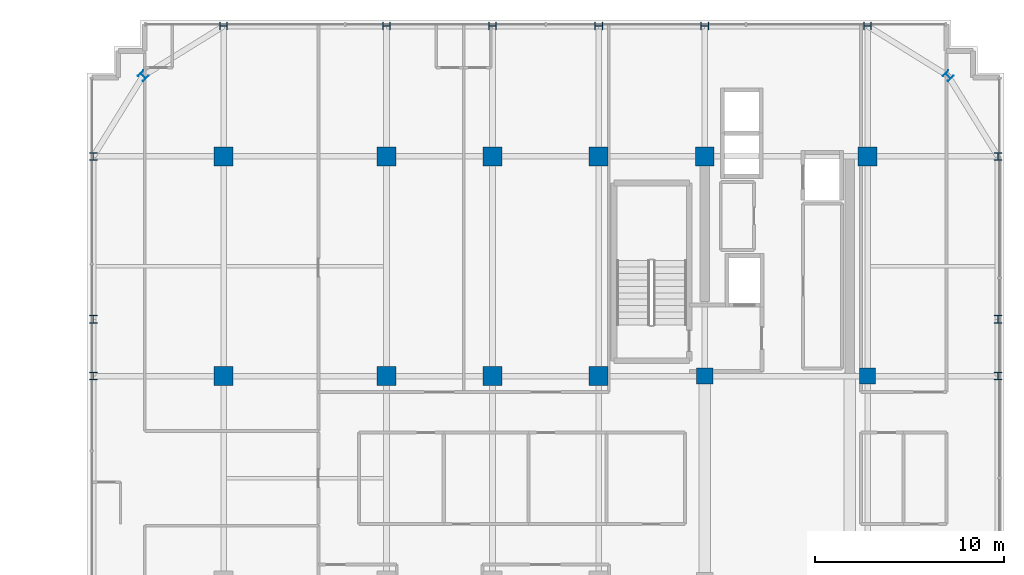
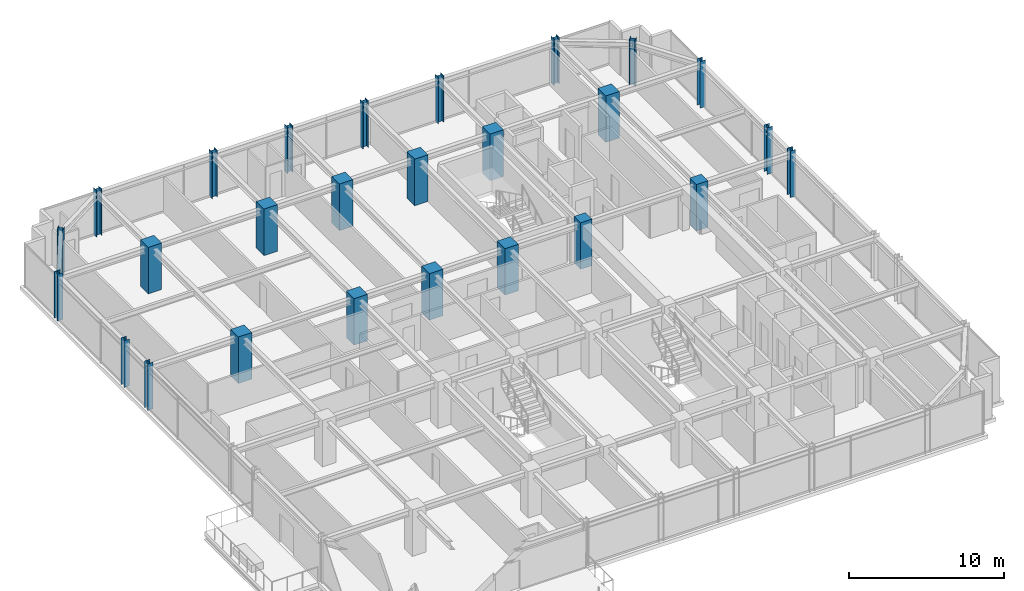
# One storey, part 2 of 35: 26 columns.
"""IFC4 building model written with IfcOpenShell, lengths in metres."""

from ifc_helpers import new_model, si_unit, direction, frame, origin, origin_2d, place, context, subcontext, project, spatial, rectangle, i_section, extrude, source, transform, mapped, material, material_profile, profile_set, type_object, element, save


model = new_model("IFC4")

# Units and contexts
model_context = context("Model", 3, precision=1e-05, world=origin(), true_north=direction((0.0, 1.0)))
body_context = subcontext(model_context, "Body", "Model", "MODEL_VIEW")
ifc_project = project(units=[si_unit("LENGTHUNIT", "METRE"), si_unit("AREAUNIT", "SQUARE_METRE"), si_unit("VOLUMEUNIT", "CUBIC_METRE"), si_unit("PLANEANGLEUNIT", "RADIAN"), si_unit("MASSUNIT", "GRAM", prefix="KILO")], contexts=[model_context])

# Site, building, storey
site_placement = place(None, origin())
site = spatial("IfcSite", under=ifc_project, at=site_placement, CompositionType="ELEMENT")
building_placement = place(site_placement, origin())
building = spatial("IfcBuilding", under=site, at=building_placement, Name="Nahalor Promenade Grand Hotel", CompositionType="ELEMENT")
storey_placement = place(building_placement, frame((0.0, 0.0, 216.0)))
storey = spatial("IfcBuildingStorey", under=building, at=storey_placement, Name="L55", CompositionType="ELEMENT", Elevation=216.0)

# Columns
ifc_material_1 = material(Name="Concrete B-60 (C50/60)", Category="concrete")
ifc_material_profile_1 = material_profile(ifc_material_1, rectangle(XDim=1.0, YDim=1.0, at=origin_2d()), Name="RC 1000x1000")
ifc_profile_set_1 = profile_set([ifc_material_profile_1], Name="Concrete B-60 (C50/60)")
column_type_1 = type_object("IfcColumnType", Name="Col-RC-1000", PredefinedType="COLUMN", material=ifc_profile_set_1)
shared_shape_1 = source(origin(), body_context, "Body", "SweptSolid", [
    extrude(rectangle(XDim=1.0, YDim=1.0, at=origin_2d()), origin(), (0.0, 0.0, 1.0), 3.655029296875),
])
for number, where, z_axis, x_axis, name in (
    (1, (-17.0, 5.39990234375, 0.0), (0.0, 0.0, 1.0), (1.0, 0.0, 0.0), "COL-L55-I02"),
    (2, (-17.0, 17.0, 0.0), (0.0, 0.0, 1.0), (1.0, 0.0, 0.0), "COL-L55-I03"),
    (3, (-8.39990234375, 5.39990234375, 0.0), (0.0, 0.0, 1.0), (1.0, 0.0, 0.0), "COL-L55-I12"),
    (4, (-8.39990234375, 17.0, 0.0), (0.0, 0.0, 1.0), (1.0, 0.0, 0.0), "COL-L55-I13"),
    (5, (-2.800048828125, 5.39990234375, 0.0), (0.0, 0.0, 1.0), (1.0, 0.0, 0.0), "COL-L55-I22"),
    (6, (-2.800048828125, 17.0, 0.0), (0.0, 0.0, 1.0), (1.0, 0.0, 0.0), "COL-L55-I23"),
    (7, (2.800048828125, 5.39990234375, 0.0), (0.0, 0.0, 1.0), (1.0, 0.0, 0.0), "COL-L55-I32"),
    (8, (2.800048828125, 17.0, 0.0), (0.0, 0.0, 1.0), (1.0, 0.0, 0.0), "COL-L55-I33"),
    (9, (8.39990234375, 17.0, 0.0), (0.0, 0.0, 1.0), (1.0, 0.0, 0.0), "COL-L55-I43"),
    (10, (17.0, 17.0, 0.0), (0.0, 0.0, 1.0), (1.0, 0.0, 0.0), "COL-L55-I53"),
):
    element("IfcColumn", number, at=place(storey_placement, frame(where, z_axis=z_axis, x_axis=x_axis)), inside=storey, type_object=column_type_1, Name=name, PredefinedType="COLUMN", context=body_context, shape_type="MappedRepresentation", body=[
        mapped(shared_shape_1, transform((0.0, 0.0, 0.0), scale=1.0)),
    ])
ifc_material_2 = material(Name="Concrete B-70 (C60/75)", Category="concrete")
ifc_material_profile_2 = material_profile(ifc_material_2, rectangle(XDim=0.85, YDim=0.85, at=origin_2d()), Name="RC 850x850")
ifc_profile_set_2 = profile_set([ifc_material_profile_2], Name="Concrete B-70 (C60/75)")
column_type_2 = type_object("IfcColumnType", Name="Col-Pilaster-850", PredefinedType="PILASTER", material=ifc_profile_set_2)
shared_shape_2 = source(origin(), body_context, "Body", "SweptSolid", [
    extrude(rectangle(XDim=0.85, YDim=0.85, at=origin_2d()), origin(), (0.0, 0.0, 1.0), 3.655029296875),
])
for number, where, z_axis, x_axis, name in (
    (11, (8.39990234375, 5.39990234375, 0.0), (0.0, 0.0, 1.0), (1.0, 0.0, 0.0), "COL-L55-I42"),
    (12, (17.0, 5.39990234375, 0.0), (0.0, 0.0, 1.0), (1.0, 0.0, 0.0), "COL-L55-I52"),
):
    element("IfcColumn", number, at=place(storey_placement, frame(where, z_axis=z_axis, x_axis=x_axis)), inside=storey, type_object=column_type_2, Name=name, PredefinedType="PILASTER", context=body_context, shape_type="MappedRepresentation", body=[
        mapped(shared_shape_2, transform((0.0, 0.0, 0.0), scale=1.0)),
    ])
ifc_material_3 = material(Name="Steel S355JR", Category="steel")
ifc_material_profile_3 = material_profile(ifc_material_3, i_section(OverallWidth=0.401, OverallDepth=0.406, WebThickness=0.0161, FlangeThickness=0.025, at=origin_2d()), Name="HD 400x314")
ifc_profile_set_3 = profile_set([ifc_material_profile_3], Name="Steel S355JR")
column_type_3 = type_object("IfcColumnType", Name="Col-Steel-HD314", PredefinedType="COLUMN", material=ifc_profile_set_3)
shared_shape_3 = source(origin(), body_context, "Body", "SweptSolid", [
    extrude(i_section(OverallWidth=0.401, OverallDepth=0.406, WebThickness=0.0161, FlangeThickness=0.025, at=origin_2d()), origin(), (0.0, 0.0, 1.0), 3.655029296875),
])
for number, where, z_axis, x_axis, name in (
    (13, (-23.8798828125, 5.39990234375, 0.0), (0.0, 0.0, 1.0), (1.0, 0.0, 0.0), "COL-L55-PW-W3"),
    (14, (23.8798828125, 5.39990234375, 0.0), (0.0, 0.0, 1.0), (1.0, 0.0, 0.0), "COL-L55-PW-E3"),
    (15, (-23.8798828125, 8.39990234375, 0.0), (0.0, 0.0, 1.0), (1.0, 0.0, 0.0), "COL-L55-PW-W4"),
    (16, (23.8798828125, 8.39990234375, 0.0), (0.0, 0.0, 1.0), (1.0, 0.0, 0.0), "COL-L55-PW-E4"),
    (17, (-23.8798828125, 17.0, 0.0), (0.0, 0.0, 1.0), (1.0, 0.0, 0.0), "COL-L55-PW-W5"),
    (18, (23.8798828125, 17.0, 0.0), (0.0, 0.0, 1.0), (1.0, 0.0, 0.0), "COL-L55-PW-E5"),
    (19, (-17.0, 23.8798828125, 0.0), (0.0, 0.0, 1.0), (0.0, 1.0, 0.0), "COL-L55-PN-N0"),
    (20, (-8.39990234375, 23.8798828125, 0.0), (0.0, 0.0, 1.0), (0.0, 1.0, 0.0), "COL-L55-PN-N1"),
    (21, (-2.800048828125, 23.8798828125, 0.0), (0.0, 0.0, 1.0), (0.0, 1.0, 0.0), "COL-L55-PN-N2"),
    (22, (2.800048828125, 23.8798828125, 0.0), (0.0, 0.0, 1.0), (0.0, 1.0, 0.0), "COL-L55-PN-N3"),
    (23, (8.39990234375, 23.8798828125, 0.0), (0.0, 0.0, 1.0), (0.0, 1.0, 0.0), "COL-L55-PN-N4"),
    (24, (17.0, 23.8798828125, 0.0), (0.0, 0.0, 1.0), (0.0, 1.0, 0.0), "COL-L55-PN-N5"),
    (25, (-21.25, 21.25, 0.0), (0.0, 0.0, 1.0), (0.707106781187, 0.707106781187, 0.0), "COL-L55-CRN-NW"),
    (26, (21.25, 21.25, 0.0), (0.0, 0.0, 1.0), (0.707106781187, 0.707106781187, 0.0), "COL-L55-CRN-NE"),
):
    element("IfcColumn", number, at=place(storey_placement, frame(where, z_axis=z_axis, x_axis=x_axis)), inside=storey, type_object=column_type_3, Name=name, PredefinedType="COLUMN", context=body_context, shape_type="MappedRepresentation", body=[
        mapped(shared_shape_3, transform((0.0, 0.0, 0.0), scale=1.0)),
    ])

save(model, "model.ifc")
